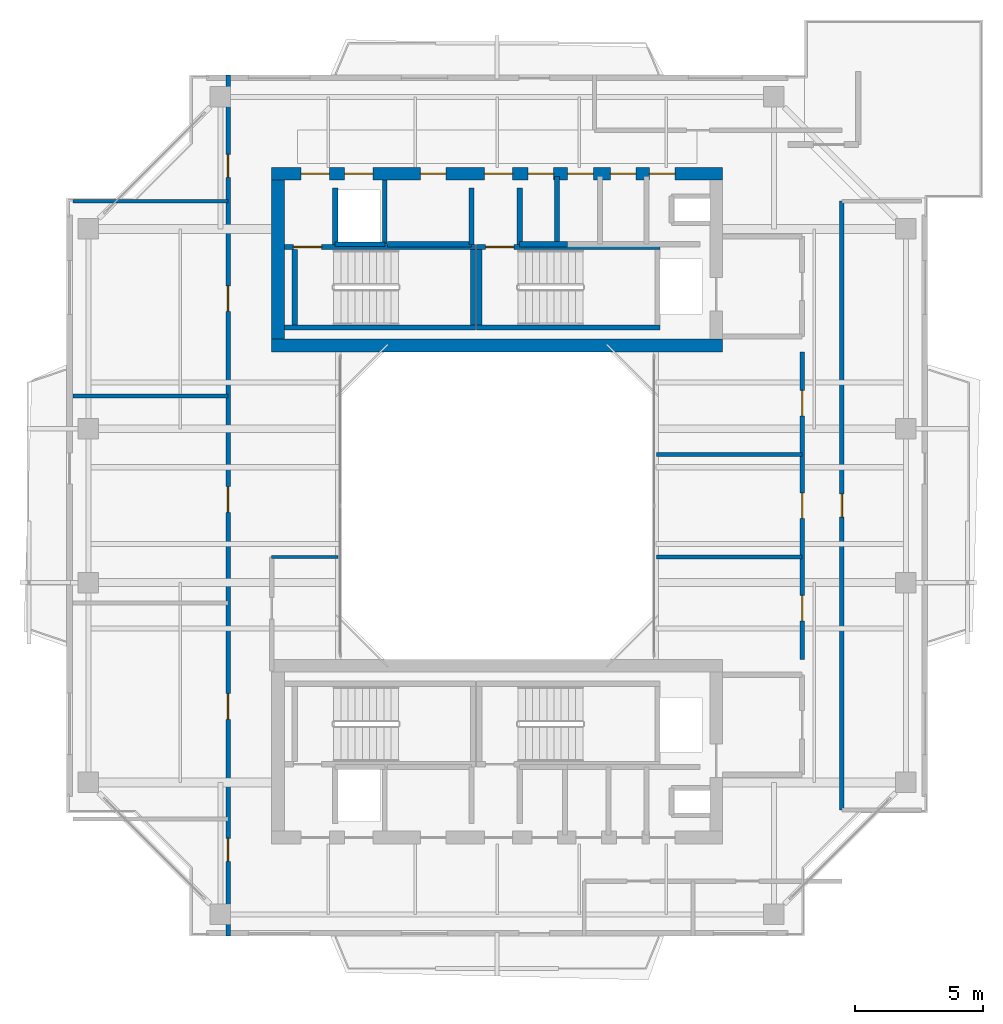
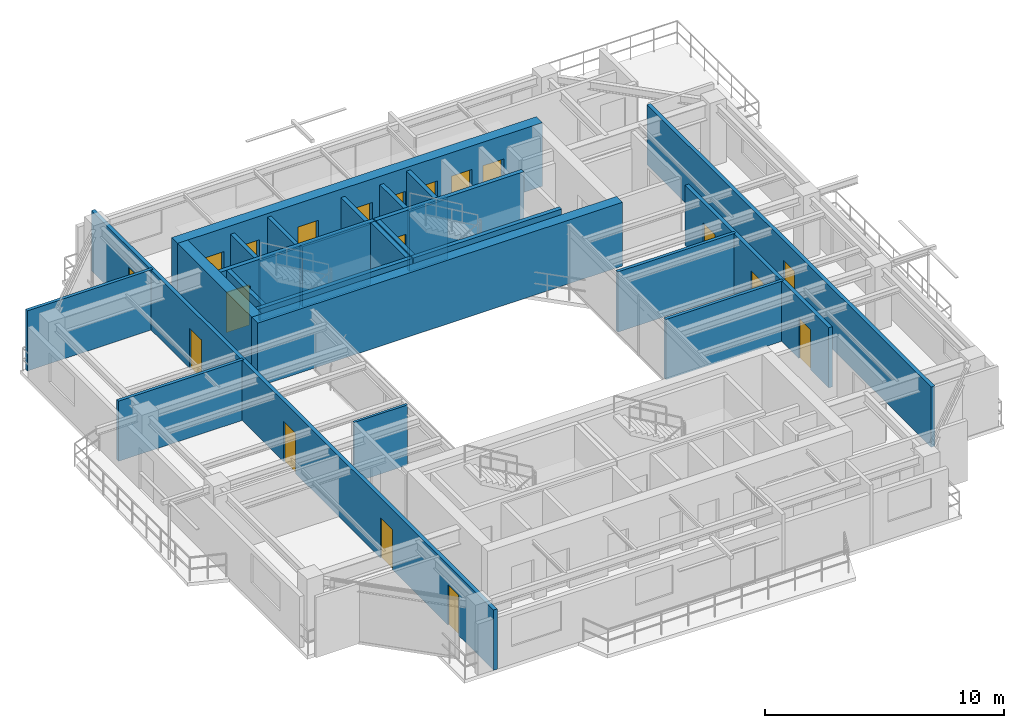
# One storey, part 11 of 16: 26 walls, 19 doors, 19 openings.
"""IFC4 building model written with IfcOpenShell, lengths in metres."""

from ifc_helpers import new_model, si_unit, direction, frame, frame_2d, origin, place, context, subcontext, project, spatial, rectangle, extrude, source, transform, mapped, material, layer, layer_set, type_object, element, fill, save


model = new_model("IFC4")

# Units and contexts
model_context = context("Model", 3, precision=1e-05, world=origin(), true_north=direction((0.0, 1.0)))
body_context = subcontext(model_context, "Body", "Model", "MODEL_VIEW")
ifc_project = project(units=[si_unit("LENGTHUNIT", "METRE"), si_unit("AREAUNIT", "SQUARE_METRE"), si_unit("VOLUMEUNIT", "CUBIC_METRE"), si_unit("PLANEANGLEUNIT", "RADIAN"), si_unit("MASSUNIT", "GRAM", prefix="KILO"), si_unit("THERMODYNAMICTEMPERATUREUNIT", "KELVIN"), si_unit("POWERUNIT", "WATT")], contexts=[model_context])

# Site, building, storey
site_placement = place(None, origin())
site = spatial("IfcSite", under=ifc_project, at=site_placement, CompositionType="ELEMENT")
building_placement = place(site_placement, origin())
building = spatial("IfcBuilding", under=site, at=building_placement, Name="Qiaomeng Ring Towers", CompositionType="ELEMENT")
storey_placement = place(building_placement, frame((0.0, 0.0, 223.0)))
storey = spatial("IfcBuildingStorey", under=building, at=storey_placement, Name="L65", CompositionType="ELEMENT", Elevation=223.0)

# Walls
ifc_material_1 = material(Name="Autoclaved aerated concrete block", Category="concrete")
ifc_layer_1 = layer(ifc_material_1, 0.199951171875, Name="Autoclaved aerated concrete block")
ifc_layer_set_1 = layer_set([ifc_layer_1], Name="Autoclaved aerated concrete block")
wall_type_1 = type_object("IfcWallType", Name="ARC-WL-PW1", PredefinedType="PARTITIONING", material=ifc_layer_set_1)
for number, where, z_axis, x_axis, name in (
    (1, (12.679931640625, 33.18994140625, 0.0), (0.0, 0.0, 1.0), (0.0, 1.0, 0.0), "L65 Interior Wall PW1"),
    (2, (18.0, 33.18994140625, 0.0), (0.0, 0.0, 1.0), (0.0, 1.0, 0.0), "L65 Interior Wall PW1"),
    (3, (19.8798828125, 33.18994140625, 0.0), (0.0, 0.0, 1.0), (0.0, 1.0, 0.0), "L65 Interior Wall PW1"),
):
    element("IfcWall", number, at=place(storey_placement, frame(where, z_axis=z_axis, x_axis=x_axis)), inside=storey, type_object=wall_type_1, Name=name, PredefinedType="PARTITIONING", context=body_context, shape_type="SweptSolid", body=[
        extrude(rectangle(XDim=2.2099609375, YDim=0.199951171875, at=frame_2d((1.10498046875, 0.0))), origin(), (0.0, 0.0, 1.0), 3.070068359375),
    ])
wall_1_placement = place(storey_placement, frame((14.719970703125, 33.199951171875, 0.0), z_axis=(0.0, 0.0, 1.0), x_axis=(1.0, 0.0, 0.0)))
element("IfcWall", 4, at=wall_1_placement, inside=storey, type_object=wall_type_1, Name="L65 Interior Wall PW1", PredefinedType="PARTITIONING", context=body_context, shape_type="SweptSolid", body=[
    extrude(rectangle(XDim=3.280029296875, YDim=0.199951171875, at=frame_2d((1.64013671875, 0.0))), origin(), (0.0, 0.0, 1.0), 3.070068359375),
])
wall_2_placement = place(storey_placement, frame((19.8798828125, 33.199951171875, 0.0), z_axis=(0.0, 0.0, 1.0), x_axis=(1.0, 0.0, 0.0)))
element("IfcWall", 5, at=wall_2_placement, inside=storey, type_object=wall_type_1, Name="L65 Interior Wall PW1", PredefinedType="PARTITIONING", context=body_context, shape_type="SweptSolid", body=[
    extrude(rectangle(XDim=1.8701171875, YDim=0.199951171875, at=frame_2d((0.93505859375, 0.0))), origin(), (0.0, 0.0, 1.0), 3.070068359375),
])
wall_3_placement = place(storey_placement, frame((21.340087890625, 33.199951171875, 0.0), z_axis=(0.0, 0.0, 1.0), x_axis=(0.0, 1.0, 0.0)))
element("IfcWall", 6, at=wall_3_placement, inside=storey, type_object=wall_type_1, Name="L65 Interior Wall PW1", PredefinedType="PARTITIONING", context=body_context, shape_type="SweptSolid", body=[
    extrude(rectangle(XDim=2.650146484375, YDim=0.199951171875, at=frame_2d((1.3251953125, 0.0))), origin(), (0.0, 0.0, 1.0), 3.070068359375),
])

# Wall, openings, doors
ifc_layer_2 = layer(ifc_material_1, 0.179931640625, Name="Autoclaved aerated concrete block")
ifc_layer_set_2 = layer_set([ifc_layer_2], Name="Autoclaved aerated concrete block")
wall_type_2 = type_object("IfcWallType", Name="ARC-WL-PW2", PredefinedType="PARTITIONING", material=ifc_layer_set_2)
wall_4_placement = place(storey_placement, frame((8.5, 6.199951171875, 0.0), z_axis=(0.0, 0.0, 1.0), x_axis=(0.0, 1.0, 0.0)))
wall_4 = element("IfcWall", 7, at=wall_4_placement, inside=storey, type_object=wall_type_2, Name="L65 Interior Wall PW2", PredefinedType="PARTITIONING", context=body_context, shape_type="SweptSolid", body=[
    extrude(rectangle(XDim=33.60009765625, YDim=0.179931640625, at=frame_2d((16.800048828125, 0.0))), origin(), (0.0, 0.0, 1.0), 3.070068359375),
])
opening_1_placement = place(wall_4_placement, frame((29.60498046875, 0.0, 0.0)))
opening_1 = element("IfcOpeningElement", 8, at=opening_1_placement, cuts=wall_4, Name="Opening ID1", PredefinedType="OPENING", context=body_context, shape_type="SweptSolid", body=[
    extrude(rectangle(XDim=0.89990234375, YDim=2.050048828125, at=frame_2d((0.449951171875, 1.02490234375))), frame((0.0, 0.099853515625, 0.0), z_axis=(0.0, -1.0, 0.0), x_axis=(1.0, 0.0, 0.0)), (0.0, 0.0, 1.0), 0.199951171875),
])
opening_2_placement = place(wall_4_placement, frame((2.919921875, 0.0, 0.0)))
opening_2 = element("IfcOpeningElement", 9, at=opening_2_placement, cuts=wall_4, Name="Opening ID1", PredefinedType="OPENING", context=body_context, shape_type="SweptSolid", body=[
    extrude(rectangle(XDim=0.89990234375, YDim=2.050048828125, at=frame_2d((0.449951171875, 1.02490234375))), frame((0.0, 0.099853515625, 0.0), z_axis=(0.0, -1.0, 0.0), x_axis=(1.0, 0.0, 0.0)), (0.0, 0.0, 1.0), 0.199951171875),
])
opening_3_placement = place(wall_4_placement, frame((8.4599609375, 0.0, 0.0)))
opening_3 = element("IfcOpeningElement", 10, at=opening_3_placement, cuts=wall_4, Name="Opening FD4", PredefinedType="OPENING", context=body_context, shape_type="SweptSolid", body=[
    extrude(rectangle(XDim=1.0, YDim=2.050048828125, at=frame_2d((0.5, 1.02490234375))), frame((0.0, 0.099853515625, 0.0), z_axis=(0.0, -1.0, 0.0), x_axis=(1.0, 0.0, 0.0)), (0.0, 0.0, 1.0), 0.199951171875),
])
opening_4_placement = place(wall_4_placement, frame((16.5400390625, 0.0, 0.0)))
opening_4 = element("IfcOpeningElement", 11, at=opening_4_placement, cuts=wall_4, Name="Opening FD4", PredefinedType="OPENING", context=body_context, shape_type="SweptSolid", body=[
    extrude(rectangle(XDim=1.0, YDim=2.050048828125, at=frame_2d((0.5, 1.02490234375))), frame((0.0, 0.099853515625, 0.0), z_axis=(0.0, -1.0, 0.0), x_axis=(1.0, 0.0, 0.0)), (0.0, 0.0, 1.0), 0.199951171875),
])
opening_5_placement = place(wall_4_placement, frame((24.3798828125, 0.0, 0.0)))
opening_5 = element("IfcOpeningElement", 12, at=opening_5_placement, cuts=wall_4, Name="Opening FD4", PredefinedType="OPENING", context=body_context, shape_type="SweptSolid", body=[
    extrude(rectangle(XDim=1.0, YDim=2.050048828125, at=frame_2d((0.5, 1.02490234375))), frame((0.0, 0.099853515625, 0.0), z_axis=(0.0, -1.0, 0.0), x_axis=(1.0, 0.0, 0.0)), (0.0, 0.0, 1.0), 0.199951171875),
])
ifc_material_2 = material(Name="Engineered fire-rated oak timber", Category="wood")
door_type_1 = type_object("IfcDoorType", Name="ARC-DR-FD4", OperationType="NOTDEFINED", PredefinedType="DOOR", material=ifc_material_2)
shared_shape_1 = source(origin(), body_context, "Body", "SweptSolid", [
    extrude(rectangle(XDim=1.0, YDim=2.050048828125, at=frame_2d((0.5, 1.02490234375))), frame((0.0, 0.02490234375, 0.0), z_axis=(0.0, -1.0, 0.0), x_axis=(1.0, 0.0, 0.0)), (0.0, 0.0, 1.0), 0.050048828125),
])
door_1_placement = place(opening_3_placement, origin())
door_1 = element("IfcDoor", 13, at=door_1_placement, inside=storey, type_object=door_type_1, Name="L65 Door FD4", OperationType="SINGLE_SWING_LEFT", OverallHeight=2.050048828125, OverallWidth=1.0, PredefinedType="DOOR", context=body_context, shape_type="MappedRepresentation", body=[
    mapped(shared_shape_1, transform((0.0, 0.0, 0.0), x_axis=(1.0, 0.0, 0.0), y_axis=(0.0, 1.0, 0.0), z_axis=(0.0, 0.0, 1.0), scale=1.0)),
])
fill(opening_3, door_1)
door_2_placement = place(opening_4_placement, origin())
door_2 = element("IfcDoor", 14, at=door_2_placement, inside=storey, type_object=door_type_1, Name="L65 Door FD4", OperationType="SINGLE_SWING_RIGHT", OverallHeight=2.050048828125, OverallWidth=1.0, PredefinedType="DOOR", context=body_context, shape_type="MappedRepresentation", body=[
    mapped(shared_shape_1, transform((0.0, 0.0, 0.0), x_axis=(1.0, 0.0, 0.0), y_axis=(0.0, 1.0, 0.0), z_axis=(0.0, 0.0, 1.0), scale=1.0)),
])
fill(opening_4, door_2)
door_3_placement = place(opening_5_placement, origin())
door_3 = element("IfcDoor", 15, at=door_3_placement, inside=storey, type_object=door_type_1, Name="L65 Door FD4", OperationType="SINGLE_SWING_LEFT", OverallHeight=2.050048828125, OverallWidth=1.0, PredefinedType="DOOR", context=body_context, shape_type="MappedRepresentation", body=[
    mapped(shared_shape_1, transform((0.0, 0.0, 0.0), x_axis=(1.0, 0.0, 0.0), y_axis=(0.0, 1.0, 0.0), z_axis=(0.0, 0.0, 1.0), scale=1.0)),
])
fill(opening_5, door_3)
ifc_material_3 = material(Name="Engineered oak timber", Category="wood")
door_type_2 = type_object("IfcDoorType", Name="ARC-DR-ID1", OperationType="NOTDEFINED", PredefinedType="DOOR", material=ifc_material_3)
shared_shape_2 = source(origin(), body_context, "Body", "SweptSolid", [
    extrude(rectangle(XDim=0.89990234375, YDim=2.050048828125, at=frame_2d((0.449951171875, 1.02490234375))), frame((0.0, 0.02490234375, 0.0), z_axis=(0.0, -1.0, 0.0), x_axis=(1.0, 0.0, 0.0)), (0.0, 0.0, 1.0), 0.050048828125),
])
door_4_placement = place(opening_1_placement, origin())
door_4 = element("IfcDoor", 16, at=door_4_placement, inside=storey, type_object=door_type_2, Name="L65 Door ID1", OperationType="SINGLE_SWING_LEFT", OverallHeight=2.050048828125, OverallWidth=0.89990234375, PredefinedType="DOOR", context=body_context, shape_type="MappedRepresentation", body=[
    mapped(shared_shape_2, transform((0.0, 0.0, 0.0), x_axis=(1.0, 0.0, 0.0), y_axis=(0.0, 1.0, 0.0), z_axis=(0.0, 0.0, 1.0), scale=1.0)),
])
fill(opening_1, door_4)
door_5_placement = place(opening_2_placement, origin())
door_5 = element("IfcDoor", 17, at=door_5_placement, inside=storey, type_object=door_type_2, Name="L65 Door ID1", OperationType="SINGLE_SWING_RIGHT", OverallHeight=2.050048828125, OverallWidth=0.89990234375, PredefinedType="DOOR", context=body_context, shape_type="MappedRepresentation", body=[
    mapped(shared_shape_2, transform((0.0, 0.0, 0.0), x_axis=(1.0, 0.0, 0.0), y_axis=(0.0, 1.0, 0.0), z_axis=(0.0, 0.0, 1.0), scale=1.0)),
])
fill(opening_2, door_5)

wall_5_placement = place(storey_placement, frame((30.89990234375, 17.0, 0.0), z_axis=(0.0, 0.0, 1.0), x_axis=(0.0, 1.0, 0.0)))
wall_5 = element("IfcWall", 18, at=wall_5_placement, inside=storey, type_object=wall_type_2, Name="L65 Interior Wall PW2", PredefinedType="PARTITIONING", context=body_context, shape_type="SweptSolid", body=[
    extrude(rectangle(XDim=12.0, YDim=0.179931640625, at=frame_2d((6.0, 0.0))), origin(), (0.0, 0.0, 1.0), 3.070068359375),
])
opening_6_placement = place(wall_5_placement, frame((1.5, 0.0, 0.0)))
opening_6 = element("IfcOpeningElement", 19, at=opening_6_placement, cuts=wall_5, Name="Opening FD4", PredefinedType="OPENING", context=body_context, shape_type="SweptSolid", body=[
    extrude(rectangle(XDim=1.0, YDim=2.050048828125, at=frame_2d((0.5, 1.02490234375))), frame((0.0, 0.099853515625, 0.0), z_axis=(0.0, -1.0, 0.0), x_axis=(1.0, 0.0, 0.0)), (0.0, 0.0, 1.0), 0.199951171875),
])
opening_7_placement = place(wall_5_placement, frame((5.5, 0.0, 0.0)))
opening_7 = element("IfcOpeningElement", 20, at=opening_7_placement, cuts=wall_5, Name="Opening FD4", PredefinedType="OPENING", context=body_context, shape_type="SweptSolid", body=[
    extrude(rectangle(XDim=1.0, YDim=2.050048828125, at=frame_2d((0.5, 1.02490234375))), frame((0.0, 0.099853515625, 0.0), z_axis=(0.0, -1.0, 0.0), x_axis=(1.0, 0.0, 0.0)), (0.0, 0.0, 1.0), 0.199951171875),
])
opening_8_placement = place(wall_5_placement, frame((9.5, 0.0, 0.0)))
opening_8 = element("IfcOpeningElement", 21, at=opening_8_placement, cuts=wall_5, Name="Opening FD4", PredefinedType="OPENING", context=body_context, shape_type="SweptSolid", body=[
    extrude(rectangle(XDim=1.0, YDim=2.050048828125, at=frame_2d((0.5, 1.02490234375))), frame((0.0, 0.099853515625, 0.0), z_axis=(0.0, -1.0, 0.0), x_axis=(1.0, 0.0, 0.0)), (0.0, 0.0, 1.0), 0.199951171875),
])
door_6_placement = place(opening_6_placement, origin())
door_6 = element("IfcDoor", 22, at=door_6_placement, inside=storey, type_object=door_type_1, Name="L65 Door FD4", OperationType="SINGLE_SWING_LEFT", OverallHeight=2.050048828125, OverallWidth=1.0, PredefinedType="DOOR", context=body_context, shape_type="MappedRepresentation", body=[
    mapped(shared_shape_1, transform((0.0, 0.0, 0.0), x_axis=(1.0, 0.0, 0.0), y_axis=(0.0, 1.0, 0.0), z_axis=(0.0, 0.0, 1.0), scale=1.0)),
])
fill(opening_6, door_6)
door_7_placement = place(opening_7_placement, origin())
door_7 = element("IfcDoor", 23, at=door_7_placement, inside=storey, type_object=door_type_1, Name="L65 Door FD4", OperationType="SINGLE_SWING_RIGHT", OverallHeight=2.050048828125, OverallWidth=1.0, PredefinedType="DOOR", context=body_context, shape_type="MappedRepresentation", body=[
    mapped(shared_shape_1, transform((0.0, 0.0, 0.0), x_axis=(1.0, 0.0, 0.0), y_axis=(0.0, 1.0, 0.0), z_axis=(0.0, 0.0, 1.0), scale=1.0)),
])
fill(opening_7, door_7)
door_8_placement = place(opening_8_placement, origin())
door_8 = element("IfcDoor", 24, at=door_8_placement, inside=storey, type_object=door_type_1, Name="L65 Door FD4", OperationType="SINGLE_SWING_LEFT", OverallHeight=2.050048828125, OverallWidth=1.0, PredefinedType="DOOR", context=body_context, shape_type="MappedRepresentation", body=[
    mapped(shared_shape_1, transform((0.0, 0.0, 0.0), x_axis=(1.0, 0.0, 0.0), y_axis=(0.0, 1.0, 0.0), z_axis=(0.0, 0.0, 1.0), scale=1.0)),
])
fill(opening_8, door_8)

# Wall, opening, door
wall_6_placement = place(storey_placement, frame((32.449951171875, 11.1201171875, 0.0), z_axis=(0.0, 0.0, 1.0), x_axis=(0.0, 1.0, 0.0)))
wall_6 = element("IfcWall", 25, at=wall_6_placement, inside=storey, type_object=wall_type_2, Name="L65 Interior Wall PW2", PredefinedType="PARTITIONING", context=body_context, shape_type="SweptSolid", body=[
    extrude(rectangle(XDim=23.759765625, YDim=0.179931640625, at=frame_2d((11.8798828125, 0.0))), origin(), (0.0, 0.0, 1.0), 3.070068359375),
])
opening_9_placement = place(wall_6_placement, frame((11.429931640625, 0.0, 0.0)))
opening_9 = element("IfcOpeningElement", 26, at=opening_9_placement, cuts=wall_6, Name="Opening ID1", PredefinedType="OPENING", context=body_context, shape_type="SweptSolid", body=[
    extrude(rectangle(XDim=0.89990234375, YDim=2.050048828125, at=frame_2d((0.449951171875, 1.02490234375))), frame((0.0, 0.099853515625, 0.0), z_axis=(0.0, -1.0, 0.0), x_axis=(1.0, 0.0, 0.0)), (0.0, 0.0, 1.0), 0.199951171875),
])
door_9_placement = place(opening_9_placement, origin())
door_9 = element("IfcDoor", 27, at=door_9_placement, inside=storey, type_object=door_type_2, Name="L65 Door ID1", OperationType="SINGLE_SWING_RIGHT", OverallHeight=2.050048828125, OverallWidth=0.89990234375, PredefinedType="DOOR", context=body_context, shape_type="MappedRepresentation", body=[
    mapped(shared_shape_2, transform((0.0, 0.0, 0.0), x_axis=(1.0, 0.0, 0.0), y_axis=(0.0, 1.0, 0.0), z_axis=(0.0, 0.0, 1.0), scale=1.0)),
])
fill(opening_9, door_9)

# Walls
ifc_material_4 = material(Name="Gypsum fireboard steel-stud partition", Category="steel")
ifc_layer_3 = layer(ifc_material_4, 0.14990234375, Name="Gypsum fireboard steel-stud partition")
ifc_layer_set_3 = layer_set([ifc_layer_3], Name="Gypsum fireboard steel-stud partition")
wall_type_3 = type_object("IfcWallType", Name="ARC-WL-PW3", PredefinedType="PARTITIONING", material=ifc_layer_set_3)
for number, where, z_axis, x_axis, name in (
    (28, (2.449951171875, 34.8798828125, 0.0), (0.0, 0.0, 1.0), (1.0, 0.0, 0.0), "L65 Interior Wall PW3"),
    (29, (2.449951171875, 27.280029296875, 0.0), (0.0, 0.0, 1.0), (1.0, 0.0, 0.0), "L65 Interior Wall PW3"),
):
    element("IfcWall", number, at=place(storey_placement, frame(where, z_axis=z_axis, x_axis=x_axis)), inside=storey, type_object=wall_type_3, Name=name, PredefinedType="PARTITIONING", context=body_context, shape_type="SweptSolid", body=[
        extrude(rectangle(XDim=6.050048828125, YDim=0.14990234375, at=frame_2d((3.02490234375, 0.0))), origin(), (0.0, 0.0, 1.0), 3.070068359375),
    ])
for number, where, z_axis, x_axis, name in (
    (30, (25.219970703125, 21.0, 0.0), (0.0, 0.0, 1.0), (1.0, 0.0, 0.0), "L65 Interior Wall PW3"),
    (31, (25.219970703125, 25.0, 0.0), (0.0, 0.0, 1.0), (1.0, 0.0, 0.0), "L65 Interior Wall PW3"),
):
    element("IfcWall", number, at=place(storey_placement, frame(where, z_axis=z_axis, x_axis=x_axis)), inside=storey, type_object=wall_type_3, Name=name, PredefinedType="PARTITIONING", context=body_context, shape_type="SweptSolid", body=[
        extrude(rectangle(XDim=5.679931640625, YDim=0.14990234375, at=frame_2d((2.83984375, 0.0))), origin(), (0.0, 0.0, 1.0), 3.070068359375),
    ])
ifc_material_5 = material(Name="Moisture-resistant gypsum steel-stud partition", Category="steel")
ifc_layer_4 = layer(ifc_material_5, 0.1201171875, Name="Moisture-resistant gypsum steel-stud partition")
ifc_layer_set_4 = layer_set([ifc_layer_4], Name="Moisture-resistant gypsum steel-stud partition")
wall_type_4 = type_object("IfcWallType", Name="ARC-WL-PW4", PredefinedType="PLUMBINGWALL", material=ifc_layer_set_4)
wall_7_placement = place(storey_placement, frame((10.199951171875, 21.0, 0.0), z_axis=(0.0, 0.0, 1.0), x_axis=(1.0, 0.0, 0.0)))
element("IfcWall", 32, at=wall_7_placement, inside=storey, type_object=wall_type_4, Name="L65 Interior Wall PW4", PredefinedType="PLUMBINGWALL", context=body_context, shape_type="SweptSolid", body=[
    extrude(rectangle(XDim=2.580078125, YDim=0.1201171875, at=frame_2d((1.2900390625, 0.0))), origin(), (0.0, 0.0, 1.0), 3.070068359375),
])
ifc_material_6 = material(Name="Concrete C40", Category="concrete")
ifc_layer_5 = layer(ifc_material_6, 0.199951171875, Name="Concrete C40")
ifc_layer_set_5 = layer_set([ifc_layer_5], Name="Concrete C40")
wall_type_5 = type_object("IfcWallType", Name="STR-WL-STSHAFT", PredefinedType="SHEAR", material=ifc_layer_set_5)
wall_8_placement = place(storey_placement, frame((12.679931640625, 33.199951171875, 0.0), z_axis=(0.0, 0.0, 1.0), x_axis=(1.0, 0.0, 0.0)))
element("IfcWall", 33, at=wall_8_placement, inside=storey, type_object=wall_type_5, Name="L65 Lift LP5 Shaft Back Wall", PredefinedType="SHEAR", context=body_context, shape_type="SweptSolid", body=[
    extrude(rectangle(XDim=1.940185546875, YDim=0.179931640625, at=frame_2d((0.97021484375, 0.0))), origin(), (0.0, 0.0, 1.0), 3.070068359375),
])
wall_9_placement = place(storey_placement, frame((14.6201171875, 33.199951171875, 0.0), z_axis=(0.0, 0.0, 1.0), x_axis=(0.0, 1.0, 0.0)))
element("IfcWall", 34, at=wall_9_placement, inside=storey, type_object=wall_type_5, Name="L65 Lift LP5-LP3 Shaft Divider Wall", PredefinedType="SHEAR", context=body_context, shape_type="SweptSolid", body=[
    extrude(rectangle(XDim=2.5, YDim=0.179931640625, at=frame_2d((1.25, 0.0))), origin(), (0.0, 0.0, 1.0), 3.070068359375),
])
wall_10_placement = place(storey_placement, frame((10.699951171875, 29.949951171875, 0.0), z_axis=(0.0, 0.0, 1.0), x_axis=(1.0, 0.0, 0.0)))
element("IfcWall", 35, at=wall_10_placement, inside=storey, type_object=wall_type_5, Name="L65 Stair ST1 South Shaft Shear Wall", PredefinedType="SHEAR", context=body_context, shape_type="SweptSolid", body=[
    extrude(rectangle(XDim=7.449951171875, YDim=0.199951171875, at=frame_2d((3.72509765625, 0.0))), origin(), (0.0, 0.0, 1.0), 3.25),
])

# Wall, opening, door
wall_11_placement = place(storey_placement, frame((10.699951171875, 33.090087890625, 0.0), z_axis=(0.0, 0.0, 1.0), x_axis=(1.0, 0.0, 0.0)))
wall_11 = element("IfcWall", 36, at=wall_11_placement, inside=storey, type_object=wall_type_5, Name="L65 Stair ST1 North Shaft Shear Wall", PredefinedType="SHEAR", context=body_context, shape_type="SweptSolid", body=[
    extrude(rectangle(XDim=7.449951171875, YDim=0.199951171875, at=frame_2d((3.72509765625, 0.0))), origin(), (0.0, 0.0, 1.0), 3.25),
])
opening_10_placement = place(wall_11_placement, frame((0.35009765625, 0.0, 0.0)))
opening_10 = element("IfcOpeningElement", 37, at=opening_10_placement, cuts=wall_11, Name="Opening FD3", PredefinedType="OPENING", context=body_context, shape_type="SweptSolid", body=[
    extrude(rectangle(XDim=1.10009765625, YDim=2.050048828125, at=frame_2d((0.550048828125, 1.02490234375))), frame((0.0, 0.10986328125, 0.0), z_axis=(0.0, -1.0, 0.0), x_axis=(1.0, 0.0, 0.0)), (0.0, 0.0, 1.0), 0.219970703125),
])
ifc_material_7 = material(Name="Galvanised steel", Category="steel")
door_type_3 = type_object("IfcDoorType", Name="ARC-DR-FD3", OperationType="NOTDEFINED", PredefinedType="DOOR", material=ifc_material_7)
shared_shape_3 = source(origin(), body_context, "Body", "SweptSolid", [
    extrude(rectangle(XDim=1.10009765625, YDim=2.050048828125, at=frame_2d((0.550048828125, 1.02490234375))), frame((0.0, 0.02490234375, 0.0), z_axis=(0.0, -1.0, 0.0), x_axis=(1.0, 0.0, 0.0)), (0.0, 0.0, 1.0), 0.050048828125),
])
door_10_placement = place(opening_10_placement, origin())
door_10 = element("IfcDoor", 38, at=door_10_placement, inside=storey, type_object=door_type_3, Name="L65 Stair ST1 Exit Door", OperationType="SINGLE_SWING_LEFT", OverallHeight=2.050048828125, OverallWidth=1.10009765625, PredefinedType="DOOR", context=body_context, shape_type="MappedRepresentation", body=[
    mapped(shared_shape_3, transform((0.0, 0.0, 0.0), x_axis=(1.0, 0.0, 0.0), y_axis=(0.0, 1.0, 0.0), z_axis=(0.0, 0.0, 1.0), scale=1.0)),
])
fill(opening_10, door_10)

# Walls
for number, where, z_axis, x_axis, name in (
    (39, (11.10009765625, 30.050048828125, 0.0), (0.0, 0.0, 1.0), (0.0, 1.0, 0.0), "L65 Stair ST1 West Shaft Shear Wall"),
    (40, (18.050048828125, 30.050048828125, 0.0), (0.0, 0.0, 1.0), (0.0, 1.0, 0.0), "L65 Stair ST1 East Shaft Shear Wall"),
):
    element("IfcWall", number, at=place(storey_placement, frame(where, z_axis=z_axis, x_axis=x_axis)), inside=storey, type_object=wall_type_5, Name=name, PredefinedType="SHEAR", context=body_context, shape_type="SweptSolid", body=[
        extrude(rectangle(XDim=2.93994140625, YDim=0.199951171875, at=frame_2d((1.469970703125, 0.0))), origin(), (0.0, 0.0, 1.0), 3.25),
    ])
wall_12_placement = place(storey_placement, frame((18.199951171875, 29.949951171875, 0.0), z_axis=(0.0, 0.0, 1.0), x_axis=(1.0, 0.0, 0.0)))
element("IfcWall", 41, at=wall_12_placement, inside=storey, type_object=wall_type_5, Name="L65 Stair ST2 South Shaft Shear Wall", PredefinedType="SHEAR", context=body_context, shape_type="SweptSolid", body=[
    extrude(rectangle(XDim=7.150146484375, YDim=0.199951171875, at=frame_2d((3.5751953125, 0.0))), origin(), (0.0, 0.0, 1.0), 3.25),
])

# Wall, opening, door
wall_13_placement = place(storey_placement, frame((18.199951171875, 33.090087890625, 0.0), z_axis=(0.0, 0.0, 1.0), x_axis=(1.0, 0.0, 0.0)))
wall_13 = element("IfcWall", 42, at=wall_13_placement, inside=storey, type_object=wall_type_5, Name="L65 Stair ST2 North Shaft Shear Wall", PredefinedType="SHEAR", context=body_context, shape_type="SweptSolid", body=[
    extrude(rectangle(XDim=7.150146484375, YDim=0.199951171875, at=frame_2d((3.5751953125, 0.0))), origin(), (0.0, 0.0, 1.0), 3.25),
])
opening_11_placement = place(wall_13_placement, frame((0.35009765625, 0.0, 0.0)))
opening_11 = element("IfcOpeningElement", 43, at=opening_11_placement, cuts=wall_13, Name="Opening FD3", PredefinedType="OPENING", context=body_context, shape_type="SweptSolid", body=[
    extrude(rectangle(XDim=1.10009765625, YDim=2.050048828125, at=frame_2d((0.550048828125, 1.02490234375))), frame((0.0, 0.10986328125, 0.0), z_axis=(0.0, -1.0, 0.0), x_axis=(1.0, 0.0, 0.0)), (0.0, 0.0, 1.0), 0.219970703125),
])
door_11_placement = place(opening_11_placement, origin())
door_11 = element("IfcDoor", 44, at=door_11_placement, inside=storey, type_object=door_type_3, Name="L65 Stair ST2 Exit Door", OperationType="SINGLE_SWING_LEFT", OverallHeight=2.050048828125, OverallWidth=1.10009765625, PredefinedType="DOOR", context=body_context, shape_type="MappedRepresentation", body=[
    mapped(shared_shape_3, transform((0.0, 0.0, 0.0), x_axis=(1.0, 0.0, 0.0), y_axis=(0.0, 1.0, 0.0), z_axis=(0.0, 0.0, 1.0), scale=1.0)),
])
fill(opening_11, door_11)

# Walls
wall_14_placement = place(storey_placement, frame((18.300048828125, 30.050048828125, 0.0), z_axis=(0.0, 0.0, 1.0), x_axis=(0.0, 1.0, 0.0)))
element("IfcWall", 45, at=wall_14_placement, inside=storey, type_object=wall_type_5, Name="L65 Stair ST2 West Shaft Shear Wall", PredefinedType="SHEAR", context=body_context, shape_type="SweptSolid", body=[
    extrude(rectangle(XDim=2.93994140625, YDim=0.199951171875, at=frame_2d((1.469970703125, 0.0))), origin(), (0.0, 0.0, 1.0), 3.25),
])
ifc_layer_6 = layer(ifc_material_6, 0.5, Name="Concrete C40")
ifc_layer_set_6 = layer_set([ifc_layer_6], Name="Concrete C40")
wall_type_6 = type_object("IfcWallType", Name="STR-WL-SW3", PredefinedType="SHEAR", material=ifc_layer_set_6)
wall_15_placement = place(storey_placement, frame((10.199951171875, 29.25, 0.0), z_axis=(0.0, 0.0, 1.0), x_axis=(1.0, 0.0, 0.0)))
element("IfcWall", 46, at=wall_15_placement, inside=storey, type_object=wall_type_6, Name="L65 T1NC south core shear wall", PredefinedType="SHEAR", context=body_context, shape_type="SweptSolid", body=[
    extrude(rectangle(XDim=17.60009765625, YDim=0.5, at=frame_2d((8.800048828125, 0.0))), origin(), (0.0, 0.0, 1.0), 3.25),
])

# Wall, openings, doors
wall_16_placement = place(storey_placement, frame((10.199951171875, 35.949951171875, 0.0), z_axis=(0.0, 0.0, 1.0), x_axis=(1.0, 0.0, 0.0)))
wall_16 = element("IfcWall", 47, at=wall_16_placement, inside=storey, type_object=wall_type_6, Name="L65 T1NC north core shear wall", PredefinedType="SHEAR", context=body_context, shape_type="SweptSolid", body=[
    extrude(rectangle(XDim=17.60009765625, YDim=0.5, at=frame_2d((8.800048828125, 0.0))), origin(), (0.0, 0.0, 1.0), 3.25),
])
opening_12_placement = place(wall_16_placement, frame((1.14990234375, 0.0, 0.0)))
opening_12 = element("IfcOpeningElement", 48, at=opening_12_placement, cuts=wall_16, Name="Opening FD3", PredefinedType="OPENING", context=body_context, shape_type="SweptSolid", body=[
    extrude(rectangle(XDim=1.10009765625, YDim=2.050048828125, at=frame_2d((0.550048828125, 1.02490234375))), frame((0.0, 0.260009765625, 0.0), z_axis=(0.0, -1.0, 0.0), x_axis=(1.0, 0.0, 0.0)), (0.0, 0.0, 1.0), 0.52001953125),
])
opening_13_placement = place(wall_16_placement, frame((8.300048828125, 0.0, 0.0)))
opening_13 = element("IfcOpeningElement", 49, at=opening_13_placement, cuts=wall_16, Name="Opening FD3", PredefinedType="OPENING", context=body_context, shape_type="SweptSolid", body=[
    extrude(rectangle(XDim=1.10009765625, YDim=2.050048828125, at=frame_2d((0.550048828125, 1.02490234375))), frame((0.0, 0.260009765625, 0.0), z_axis=(0.0, -1.0, 0.0), x_axis=(1.0, 0.0, 0.0)), (0.0, 0.0, 1.0), 0.52001953125),
])
opening_14_placement = place(wall_16_placement, frame((2.85009765625, 0.0, 0.0)))
opening_14 = element("IfcOpeningElement", 50, at=opening_14_placement, cuts=wall_16, Name="Opening LD1", PredefinedType="OPENING", context=body_context, shape_type="SweptSolid", body=[
    extrude(rectangle(XDim=1.10009765625, YDim=2.050048828125, at=frame_2d((0.550048828125, 1.02490234375))), frame((0.0, 0.260009765625, 0.0), z_axis=(0.0, -1.0, 0.0), x_axis=(1.0, 0.0, 0.0)), (0.0, 0.0, 1.0), 0.52001953125),
])
opening_15_placement = place(wall_16_placement, frame((5.800048828125, 0.0, 0.0)))
opening_15 = element("IfcOpeningElement", 51, at=opening_15_placement, cuts=wall_16, Name="Opening FD1", PredefinedType="OPENING", context=body_context, shape_type="SweptSolid", body=[
    extrude(rectangle(XDim=1.0, YDim=2.050048828125, at=frame_2d((0.5, 1.02490234375))), frame((0.0, 0.260009765625, 0.0), z_axis=(0.0, -1.0, 0.0), x_axis=(1.0, 0.0, 0.0)), (0.0, 0.0, 1.0), 0.52001953125),
])
opening_16_placement = place(wall_16_placement, frame((14.739990234375, 0.0, 0.0)))
opening_16 = element("IfcOpeningElement", 52, at=opening_16_placement, cuts=wall_16, Name="Opening FD1", PredefinedType="OPENING", context=body_context, shape_type="SweptSolid", body=[
    extrude(rectangle(XDim=1.0, YDim=2.050048828125, at=frame_2d((0.5, 1.02490234375))), frame((0.0, 0.260009765625, 0.0), z_axis=(0.0, -1.0, 0.0), x_axis=(1.0, 0.0, 0.0)), (0.0, 0.0, 1.0), 0.52001953125),
])
opening_17_placement = place(wall_16_placement, frame((10.0048828125, 0.0, 0.0)))
opening_17 = element("IfcOpeningElement", 53, at=opening_17_placement, cuts=wall_16, Name="Opening FD1", PredefinedType="OPENING", context=body_context, shape_type="SweptSolid", body=[
    extrude(rectangle(XDim=1.0, YDim=2.050048828125, at=frame_2d((0.5, 1.02490234375))), frame((0.0, 0.260009765625, 0.0), z_axis=(0.0, -1.0, 0.0), x_axis=(1.0, 0.0, 0.0)), (0.0, 0.0, 1.0), 0.52001953125),
])
opening_18_placement = place(wall_16_placement, frame((11.550048828125, 0.0, 0.0)))
opening_18 = element("IfcOpeningElement", 54, at=opening_18_placement, cuts=wall_16, Name="Opening FD1", PredefinedType="OPENING", context=body_context, shape_type="SweptSolid", body=[
    extrude(rectangle(XDim=1.0, YDim=2.050048828125, at=frame_2d((0.5, 1.02490234375))), frame((0.0, 0.260009765625, 0.0), z_axis=(0.0, -1.0, 0.0), x_axis=(1.0, 0.0, 0.0)), (0.0, 0.0, 1.0), 0.52001953125),
])
opening_19_placement = place(wall_16_placement, frame((13.215087890625, 0.0, 0.0)))
opening_19 = element("IfcOpeningElement", 55, at=opening_19_placement, cuts=wall_16, Name="Opening FD1", PredefinedType="OPENING", context=body_context, shape_type="SweptSolid", body=[
    extrude(rectangle(XDim=1.0, YDim=2.050048828125, at=frame_2d((0.5, 1.02490234375))), frame((0.0, 0.260009765625, 0.0), z_axis=(0.0, -1.0, 0.0), x_axis=(1.0, 0.0, 0.0)), (0.0, 0.0, 1.0), 0.52001953125),
])
door_12_placement = place(opening_12_placement, origin())
door_12 = element("IfcDoor", 56, at=door_12_placement, inside=storey, type_object=door_type_3, Name="L65 Stair ST1 Lobby Door", OperationType="SINGLE_SWING_RIGHT", OverallHeight=2.050048828125, OverallWidth=1.10009765625, PredefinedType="DOOR", context=body_context, shape_type="MappedRepresentation", body=[
    mapped(shared_shape_3, transform((0.0, 0.0, 0.0), x_axis=(1.0, 0.0, 0.0), y_axis=(0.0, 1.0, 0.0), z_axis=(0.0, 0.0, 1.0), scale=1.0)),
])
fill(opening_12, door_12)
door_13_placement = place(opening_13_placement, origin())
door_13 = element("IfcDoor", 57, at=door_13_placement, inside=storey, type_object=door_type_3, Name="L65 Stair ST2 Lobby Door", OperationType="SINGLE_SWING_RIGHT", OverallHeight=2.050048828125, OverallWidth=1.10009765625, PredefinedType="DOOR", context=body_context, shape_type="MappedRepresentation", body=[
    mapped(shared_shape_3, transform((0.0, 0.0, 0.0), x_axis=(1.0, 0.0, 0.0), y_axis=(0.0, 1.0, 0.0), z_axis=(0.0, 0.0, 1.0), scale=1.0)),
])
fill(opening_13, door_13)
ifc_material_8 = material(Name="Stainless steel 316", Category="steel")
door_type_4 = type_object("IfcDoorType", Name="ARC-DR-LD1", OperationType="NOTDEFINED", PredefinedType="DOOR", material=ifc_material_8)
door_14_placement = place(opening_14_placement, origin())
door_14 = element("IfcDoor", 58, at=door_14_placement, inside=storey, type_object=door_type_4, Name="L65 High-Zone Lift LP5 Landing Door", OperationType="SLIDING_TO_LEFT", OverallHeight=2.050048828125, OverallWidth=1.10009765625, PredefinedType="DOOR", context=body_context, shape_type="MappedRepresentation", body=[
    mapped(shared_shape_3, transform((0.0, 0.0, 0.0), x_axis=(1.0, 0.0, 0.0), y_axis=(0.0, 1.0, 0.0), z_axis=(0.0, 0.0, 1.0), scale=1.0)),
])
fill(opening_14, door_14)
door_type_5 = type_object("IfcDoorType", Name="ARC-DR-FD1", OperationType="NOTDEFINED", PredefinedType="DOOR", material=ifc_material_7)
door_15_placement = place(opening_15_placement, origin())
door_15 = element("IfcDoor", 59, at=door_15_placement, inside=storey, type_object=door_type_5, Name="L65 High-Zone Facilities Office Door", OperationType="SINGLE_SWING_RIGHT", OverallHeight=2.050048828125, OverallWidth=1.0, PredefinedType="DOOR", context=body_context, shape_type="MappedRepresentation", body=[
    mapped(shared_shape_1, transform((0.0, 0.0, 0.0), x_axis=(1.0, 0.0, 0.0), y_axis=(0.0, 1.0, 0.0), z_axis=(0.0, 0.0, 1.0), scale=1.0)),
])
fill(opening_15, door_15)
door_16_placement = place(opening_16_placement, origin())
door_16 = element("IfcDoor", 60, at=door_16_placement, inside=storey, type_object=door_type_5, Name="L65 North Electrical Riser Door", OperationType="SINGLE_SWING_RIGHT", OverallHeight=2.050048828125, OverallWidth=1.0, PredefinedType="DOOR", context=body_context, shape_type="MappedRepresentation", body=[
    mapped(shared_shape_1, transform((0.0, 0.0, 0.0), x_axis=(1.0, 0.0, 0.0), y_axis=(0.0, 1.0, 0.0), z_axis=(0.0, 0.0, 1.0), scale=1.0)),
])
fill(opening_16, door_16)
door_17_placement = place(opening_17_placement, origin())
door_17 = element("IfcDoor", 61, at=door_17_placement, inside=storey, type_object=door_type_5, Name="L65 North Cleaners Cupboard Door", OperationType="SINGLE_SWING_RIGHT", OverallHeight=2.050048828125, OverallWidth=1.0, PredefinedType="DOOR", context=body_context, shape_type="MappedRepresentation", body=[
    mapped(shared_shape_1, transform((0.0, 0.0, 0.0), x_axis=(1.0, 0.0, 0.0), y_axis=(0.0, 1.0, 0.0), z_axis=(0.0, 0.0, 1.0), scale=1.0)),
])
fill(opening_17, door_17)
door_18_placement = place(opening_18_placement, origin())
door_18 = element("IfcDoor", 62, at=door_18_placement, inside=storey, type_object=door_type_5, Name="L65 North Staff Tea Pantry Door", OperationType="SINGLE_SWING_LEFT", OverallHeight=2.050048828125, OverallWidth=1.0, PredefinedType="DOOR", context=body_context, shape_type="MappedRepresentation", body=[
    mapped(shared_shape_1, transform((0.0, 0.0, 0.0), x_axis=(1.0, 0.0, 0.0), y_axis=(0.0, 1.0, 0.0), z_axis=(0.0, 0.0, 1.0), scale=1.0)),
])
fill(opening_18, door_18)
door_19_placement = place(opening_19_placement, origin())
door_19 = element("IfcDoor", 63, at=door_19_placement, inside=storey, type_object=door_type_5, Name="L65 North Records Study Door", OperationType="SINGLE_SWING_RIGHT", OverallHeight=2.050048828125, OverallWidth=1.0, PredefinedType="DOOR", context=body_context, shape_type="MappedRepresentation", body=[
    mapped(shared_shape_1, transform((0.0, 0.0, 0.0), x_axis=(1.0, 0.0, 0.0), y_axis=(0.0, 1.0, 0.0), z_axis=(0.0, 0.0, 1.0), scale=1.0)),
])
fill(opening_19, door_19)

# Wall
wall_17_placement = place(storey_placement, frame((10.449951171875, 29.5, 0.0), z_axis=(0.0, 0.0, 1.0), x_axis=(0.0, 1.0, 0.0)))
element("IfcWall", 64, at=wall_17_placement, inside=storey, type_object=wall_type_6, Name="L65 T1NC west core shear wall", PredefinedType="SHEAR", context=body_context, shape_type="SweptSolid", body=[
    extrude(rectangle(XDim=6.199951171875, YDim=0.5, at=frame_2d((3.10009765625, 0.0))), origin(), (0.0, 0.0, 1.0), 3.25),
])

save(model, "model.ifc")
